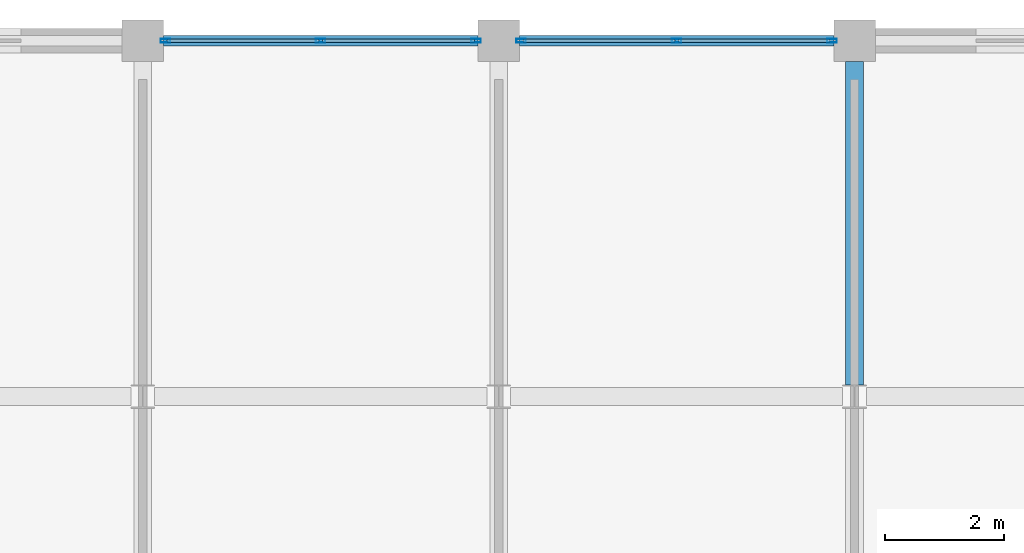
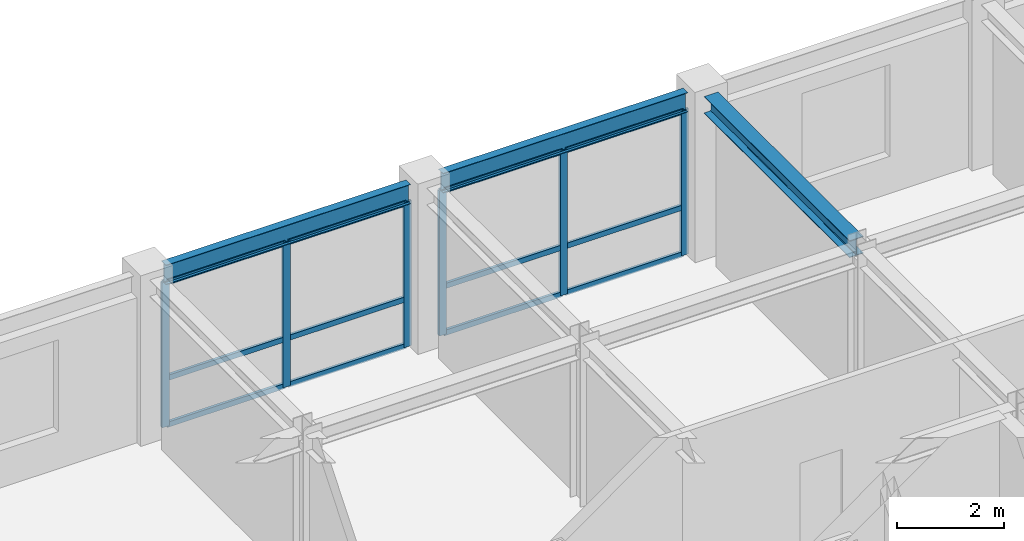
# One storey, part 8 of 14: 18 members, 3 beams, 2 elements without a shape of their own.
"""IFC4 building model written with IfcOpenShell, lengths in metres."""

from ifc_helpers import new_model, si_unit, direction, frame, origin, origin_2d, place, context, subcontext, project, spatial, hollow_rectangle, i_section, extrude, material, layer, layer_set, material_profile, profile_set, type_object, element, aggregate, save


model = new_model("IFC4")

# Units and contexts
model_context = context("Model", 3, precision=1e-05, world=origin(), true_north=direction((0.0, 1.0)))
body_context = subcontext(model_context, "Body", "Model", "MODEL_VIEW")
ifc_project = project(units=[si_unit("LENGTHUNIT", "METRE"), si_unit("AREAUNIT", "SQUARE_METRE"), si_unit("VOLUMEUNIT", "CUBIC_METRE"), si_unit("PLANEANGLEUNIT", "RADIAN"), si_unit("MASSUNIT", "GRAM", prefix="KILO")], contexts=[model_context])

# Site, building, storey
site_placement = place(None, origin())
site = spatial("IfcSite", under=ifc_project, at=site_placement, CompositionType="ELEMENT")
building_placement = place(site_placement, origin())
building = spatial("IfcBuilding", under=site, at=building_placement, Name="Zlatovratsky Civic Hall", CompositionType="ELEMENT")
storey_placement = place(building_placement, frame((0.0, 0.0, 28.800048828125)))
storey = spatial("IfcBuildingStorey", under=building, at=storey_placement, Name="L07", CompositionType="ELEMENT", Elevation=28.800048828125)

# Beams
ifc_material_1 = material(Name="Steel S355", Category="steel")
ifc_material_profile_1 = material_profile(ifc_material_1, i_section(OverallWidth=0.169921875, OverallDepth=0.446044921875, WebThickness=0.007568359375, FlangeThickness=0.010986328125, FilletRadius=0.01611328125, at=origin_2d()), Name="45B1")
ifc_profile_set_1 = profile_set([ifc_material_profile_1], Name="Steel S355")
beam_type_1 = type_object("IfcBeamType", Name="Beam_Spandrel_45B1", PredefinedType="SPANDREL", material=ifc_profile_set_1)
for number, where, z_axis, x_axis, name in (
    (1, (78.35009765625, 108.0, 3.516845703125), (1.0, 0.0, 0.0), (0.0, 1.0, 0.0), "BM-4307"),
    (2, (84.35009765625, 108.0, 3.516845703125), (1.0, 0.0, 0.0), (0.0, 1.0, 0.0), "BM-4308"),
):
    element("IfcBeam", number, at=place(storey_placement, frame(where, z_axis=z_axis, x_axis=x_axis)), inside=storey, type_object=beam_type_1, Name=name, PredefinedType="SPANDREL", context=body_context, shape_type="SweptSolid", body=[
        extrude(i_section(OverallWidth=0.169921875, OverallDepth=0.446044921875, WebThickness=0.007568359375, FlangeThickness=0.010986328125, FilletRadius=0.01611328125, at=origin_2d()), origin(), (0.0, 0.0, 1.0), 5.2998046875),
    ])
ifc_material_profile_2 = material_profile(ifc_material_1, i_section(OverallWidth=0.300048828125, OverallDepth=0.387939453125, WebThickness=0.009521484375, FlangeThickness=0.013916015625, FilletRadius=0.02197265625, at=origin_2d()), Name="40Sh1")
ifc_profile_set_2 = profile_set([ifc_material_profile_2], Name="Steel S355")
beam_type_2 = type_object("IfcBeamType", Name="Beam_TowerMid_40Sh1", PredefinedType="BEAM", material=ifc_profile_set_2)
beam_placement = place(storey_placement, frame((90.0, 102.197021484375, 3.5458984375), z_axis=(0.0, 1.0, 0.0), x_axis=(-1.0, 0.0, 0.0)))
element("IfcBeam", 3, at=beam_placement, inside=storey, type_object=beam_type_2, Name="BM-4354", PredefinedType="BEAM", context=body_context, shape_type="SweptSolid", body=[
    extrude(i_section(OverallWidth=0.300048828125, OverallDepth=0.387939453125, WebThickness=0.009521484375, FlangeThickness=0.013916015625, FilletRadius=0.02197265625, at=origin_2d()), origin(), (0.0, 0.0, 1.0), 5.452880859375),
])

# Curtain wall, members
ifc_material_2 = material(Name="Anodised bronze aluminium", Category="aluminium")
ifc_layer = layer(ifc_material_2, 0.159912109375)
ifc_layer_set = layer_set([ifc_layer], Name="Anodised bronze aluminium")
curtain_wall_type = type_object("IfcCurtainWallType", Name="CurtainWall_Bronze_5300x3320_21", PredefinedType="NOTDEFINED", material=ifc_layer_set)
curtain_wall_1_placement = place(storey_placement, origin())
curtain_wall_1 = element("IfcCurtainWall", 4, at=curtain_wall_1_placement, inside=storey, type_object=curtain_wall_type, Name="CW-139", PredefinedType="NOTDEFINED")
ifc_material_profile_3 = material_profile(ifc_material_2, hollow_rectangle(XDim=0.06005859375, YDim=0.159912109375, WallThickness=0.00390625, at=origin_2d()), Name="ALU 60x160x4")
ifc_profile_set_3 = profile_set([ifc_material_profile_3], Name="Anodised bronze aluminium")
member_type_1 = type_object("IfcMemberType", Name="CW_Mullion_60x160", PredefinedType="MULLION", material=ifc_profile_set_3)
member_1_placement = place(storey_placement, frame((78.3798828125, 108.0, 0.0), z_axis=(0.0, 0.0, 1.0), x_axis=(0.0, 1.0, 0.0)))
member_1 = element("IfcMember", 5, at=member_1_placement, type_object=member_type_1, Name="CW-21 mullion 1", PredefinedType="MULLION", context=body_context, shape_type="SweptSolid", body=[
    extrude(hollow_rectangle(XDim=0.06005859375, YDim=0.159912109375, WallThickness=0.00390625, at=origin_2d()), origin(), (0.0, 0.0, 1.0), 3.320068359375),
])
member_2_placement = place(storey_placement, frame((81.0, 108.0, 0.0), z_axis=(0.0, 0.0, 1.0), x_axis=(0.0, 1.0, 0.0)))
member_2 = element("IfcMember", 6, at=member_2_placement, type_object=member_type_1, Name="CW-21 mullion 2", PredefinedType="MULLION", context=body_context, shape_type="SweptSolid", body=[
    extrude(hollow_rectangle(XDim=0.06005859375, YDim=0.159912109375, WallThickness=0.00390625, at=origin_2d()), origin(), (0.0, 0.0, 1.0), 3.320068359375),
])
member_3_placement = place(storey_placement, frame((83.6201171875, 108.0, 0.0), z_axis=(0.0, 0.0, 1.0), x_axis=(0.0, 1.0, 0.0)))
member_3 = element("IfcMember", 7, at=member_3_placement, type_object=member_type_1, Name="CW-21 mullion 3", PredefinedType="MULLION", context=body_context, shape_type="SweptSolid", body=[
    extrude(hollow_rectangle(XDim=0.06005859375, YDim=0.159912109375, WallThickness=0.00390625, at=origin_2d()), origin(), (0.0, 0.0, 1.0), 3.320068359375),
])

curtain_wall_2_placement = place(storey_placement, origin())
curtain_wall_2 = element("IfcCurtainWall", 8, at=curtain_wall_2_placement, inside=storey, type_object=curtain_wall_type, Name="CW-140", PredefinedType="NOTDEFINED")
member_4_placement = place(storey_placement, frame((84.3798828125, 108.0, 0.0), z_axis=(0.0, 0.0, 1.0), x_axis=(0.0, 1.0, 0.0)))
member_4 = element("IfcMember", 9, at=member_4_placement, type_object=member_type_1, Name="CW-21 mullion 1", PredefinedType="MULLION", context=body_context, shape_type="SweptSolid", body=[
    extrude(hollow_rectangle(XDim=0.06005859375, YDim=0.159912109375, WallThickness=0.00390625, at=origin_2d()), origin(), (0.0, 0.0, 1.0), 3.320068359375),
])
member_5_placement = place(storey_placement, frame((87.0, 108.0, 0.0), z_axis=(0.0, 0.0, 1.0), x_axis=(0.0, 1.0, 0.0)))
member_5 = element("IfcMember", 10, at=member_5_placement, type_object=member_type_1, Name="CW-21 mullion 2", PredefinedType="MULLION", context=body_context, shape_type="SweptSolid", body=[
    extrude(hollow_rectangle(XDim=0.06005859375, YDim=0.159912109375, WallThickness=0.00390625, at=origin_2d()), origin(), (0.0, 0.0, 1.0), 3.320068359375),
])
member_6_placement = place(storey_placement, frame((89.6201171875, 108.0, 0.0), z_axis=(0.0, 0.0, 1.0), x_axis=(0.0, 1.0, 0.0)))
member_6 = element("IfcMember", 11, at=member_6_placement, type_object=member_type_1, Name="CW-21 mullion 3", PredefinedType="MULLION", context=body_context, shape_type="SweptSolid", body=[
    extrude(hollow_rectangle(XDim=0.06005859375, YDim=0.159912109375, WallThickness=0.00390625, at=origin_2d()), origin(), (0.0, 0.0, 1.0), 3.320068359375),
])

# Member
ifc_material_profile_4 = material_profile(ifc_material_2, hollow_rectangle(XDim=0.06005859375, YDim=0.1201171875, WallThickness=0.00390625, at=origin_2d()), Name="ALU 60x120x4")
ifc_profile_set_4 = profile_set([ifc_material_profile_4], Name="Anodised bronze aluminium")
member_type_2 = type_object("IfcMemberType", Name="CW_Transom_60x120", PredefinedType="USERDEFINED", material=ifc_profile_set_4)
member_7_placement = place(storey_placement, frame((78.409912109375, 108.0, 0.030029296875), z_axis=(1.0, 0.0, 0.0), x_axis=(0.0, 1.0, 0.0)))
member_7 = element("IfcMember", 12, at=member_7_placement, type_object=member_type_2, Name="CW-21 transom 1.1", ObjectType="TRANSOM", PredefinedType="USERDEFINED", context=body_context, shape_type="SweptSolid", body=[
    extrude(hollow_rectangle(XDim=0.06005859375, YDim=0.1201171875, WallThickness=0.00390625, at=origin_2d()), origin(), (0.0, 0.0, 1.0), 2.56005859375),
])

member_8_placement = place(storey_placement, frame((78.409912109375, 108.0, 1.099853515625), z_axis=(1.0, 0.0, 0.0), x_axis=(0.0, 1.0, 0.0)))
member_8 = element("IfcMember", 13, at=member_8_placement, type_object=member_type_2, Name="CW-21 transom 1.2", ObjectType="TRANSOM", PredefinedType="USERDEFINED", context=body_context, shape_type="SweptSolid", body=[
    extrude(hollow_rectangle(XDim=0.06005859375, YDim=0.1201171875, WallThickness=0.00390625, at=origin_2d()), origin(), (0.0, 0.0, 1.0), 2.56005859375),
])

member_9_placement = place(storey_placement, frame((78.409912109375, 108.0, 3.2900390625), z_axis=(1.0, 0.0, 0.0), x_axis=(0.0, 1.0, 0.0)))
member_9 = element("IfcMember", 14, at=member_9_placement, type_object=member_type_2, Name="CW-21 transom 1.3", ObjectType="TRANSOM", PredefinedType="USERDEFINED", context=body_context, shape_type="SweptSolid", body=[
    extrude(hollow_rectangle(XDim=0.06005859375, YDim=0.1201171875, WallThickness=0.00390625, at=origin_2d()), origin(), (0.0, 0.0, 1.0), 2.56005859375),
])

member_10_placement = place(storey_placement, frame((81.030029296875, 108.0, 0.030029296875), z_axis=(1.0, 0.0, 0.0), x_axis=(0.0, 1.0, 0.0)))
member_10 = element("IfcMember", 15, at=member_10_placement, type_object=member_type_2, Name="CW-21 transom 2.1", ObjectType="TRANSOM", PredefinedType="USERDEFINED", context=body_context, shape_type="SweptSolid", body=[
    extrude(hollow_rectangle(XDim=0.06005859375, YDim=0.1201171875, WallThickness=0.00390625, at=origin_2d()), origin(), (0.0, 0.0, 1.0), 2.56005859375),
])

member_11_placement = place(storey_placement, frame((81.030029296875, 108.0, 1.099853515625), z_axis=(1.0, 0.0, 0.0), x_axis=(0.0, 1.0, 0.0)))
member_11 = element("IfcMember", 16, at=member_11_placement, type_object=member_type_2, Name="CW-21 transom 2.2", ObjectType="TRANSOM", PredefinedType="USERDEFINED", context=body_context, shape_type="SweptSolid", body=[
    extrude(hollow_rectangle(XDim=0.06005859375, YDim=0.1201171875, WallThickness=0.00390625, at=origin_2d()), origin(), (0.0, 0.0, 1.0), 2.56005859375),
])

member_12_placement = place(storey_placement, frame((81.030029296875, 108.0, 3.2900390625), z_axis=(1.0, 0.0, 0.0), x_axis=(0.0, 1.0, 0.0)))
member_12 = element("IfcMember", 17, at=member_12_placement, type_object=member_type_2, Name="CW-21 transom 2.3", ObjectType="TRANSOM", PredefinedType="USERDEFINED", context=body_context, shape_type="SweptSolid", body=[
    extrude(hollow_rectangle(XDim=0.06005859375, YDim=0.1201171875, WallThickness=0.00390625, at=origin_2d()), origin(), (0.0, 0.0, 1.0), 2.56005859375),
])

aggregate(curtain_wall_1, [member_1, member_2, member_3, member_7, member_8, member_9, member_10, member_11, member_12])

member_13_placement = place(storey_placement, frame((84.409912109375, 108.0, 0.030029296875), z_axis=(1.0, 0.0, 0.0), x_axis=(0.0, 1.0, 0.0)))
member_13 = element("IfcMember", 18, at=member_13_placement, type_object=member_type_2, Name="CW-21 transom 1.1", ObjectType="TRANSOM", PredefinedType="USERDEFINED", context=body_context, shape_type="SweptSolid", body=[
    extrude(hollow_rectangle(XDim=0.06005859375, YDim=0.1201171875, WallThickness=0.00390625, at=origin_2d()), origin(), (0.0, 0.0, 1.0), 2.56005859375),
])

member_14_placement = place(storey_placement, frame((84.409912109375, 108.0, 1.099853515625), z_axis=(1.0, 0.0, 0.0), x_axis=(0.0, 1.0, 0.0)))
member_14 = element("IfcMember", 19, at=member_14_placement, type_object=member_type_2, Name="CW-21 transom 1.2", ObjectType="TRANSOM", PredefinedType="USERDEFINED", context=body_context, shape_type="SweptSolid", body=[
    extrude(hollow_rectangle(XDim=0.06005859375, YDim=0.1201171875, WallThickness=0.00390625, at=origin_2d()), origin(), (0.0, 0.0, 1.0), 2.56005859375),
])

member_15_placement = place(storey_placement, frame((84.409912109375, 108.0, 3.2900390625), z_axis=(1.0, 0.0, 0.0), x_axis=(0.0, 1.0, 0.0)))
member_15 = element("IfcMember", 20, at=member_15_placement, type_object=member_type_2, Name="CW-21 transom 1.3", ObjectType="TRANSOM", PredefinedType="USERDEFINED", context=body_context, shape_type="SweptSolid", body=[
    extrude(hollow_rectangle(XDim=0.06005859375, YDim=0.1201171875, WallThickness=0.00390625, at=origin_2d()), origin(), (0.0, 0.0, 1.0), 2.56005859375),
])

member_16_placement = place(storey_placement, frame((87.030029296875, 108.0, 0.030029296875), z_axis=(1.0, 0.0, 0.0), x_axis=(0.0, 1.0, 0.0)))
member_16 = element("IfcMember", 21, at=member_16_placement, type_object=member_type_2, Name="CW-21 transom 2.1", ObjectType="TRANSOM", PredefinedType="USERDEFINED", context=body_context, shape_type="SweptSolid", body=[
    extrude(hollow_rectangle(XDim=0.06005859375, YDim=0.1201171875, WallThickness=0.00390625, at=origin_2d()), origin(), (0.0, 0.0, 1.0), 2.56005859375),
])

member_17_placement = place(storey_placement, frame((87.030029296875, 108.0, 1.099853515625), z_axis=(1.0, 0.0, 0.0), x_axis=(0.0, 1.0, 0.0)))
member_17 = element("IfcMember", 22, at=member_17_placement, type_object=member_type_2, Name="CW-21 transom 2.2", ObjectType="TRANSOM", PredefinedType="USERDEFINED", context=body_context, shape_type="SweptSolid", body=[
    extrude(hollow_rectangle(XDim=0.06005859375, YDim=0.1201171875, WallThickness=0.00390625, at=origin_2d()), origin(), (0.0, 0.0, 1.0), 2.56005859375),
])

member_18_placement = place(storey_placement, frame((87.030029296875, 108.0, 3.2900390625), z_axis=(1.0, 0.0, 0.0), x_axis=(0.0, 1.0, 0.0)))
member_18 = element("IfcMember", 23, at=member_18_placement, type_object=member_type_2, Name="CW-21 transom 2.3", ObjectType="TRANSOM", PredefinedType="USERDEFINED", context=body_context, shape_type="SweptSolid", body=[
    extrude(hollow_rectangle(XDim=0.06005859375, YDim=0.1201171875, WallThickness=0.00390625, at=origin_2d()), origin(), (0.0, 0.0, 1.0), 2.56005859375),
])

aggregate(curtain_wall_2, [member_4, member_5, member_6, member_13, member_14, member_15, member_16, member_17, member_18])

save(model, "model.ifc")
